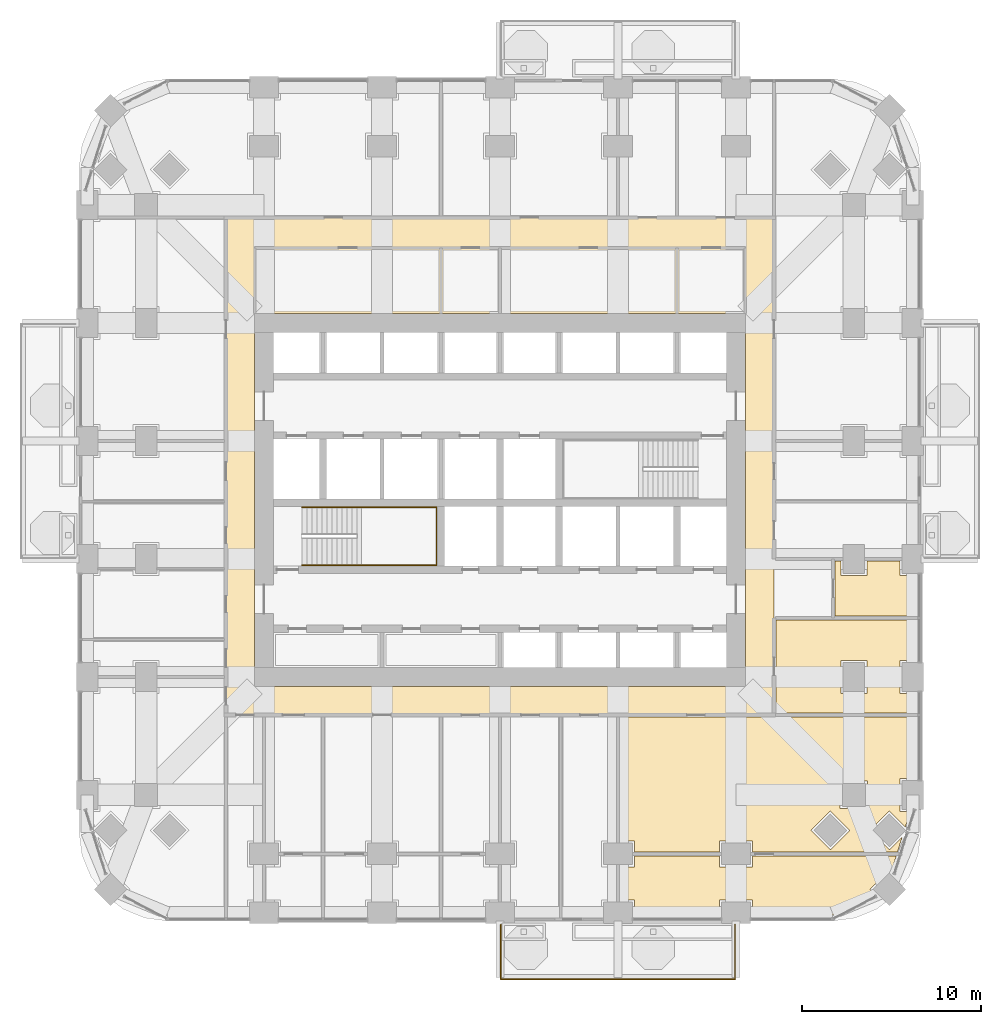
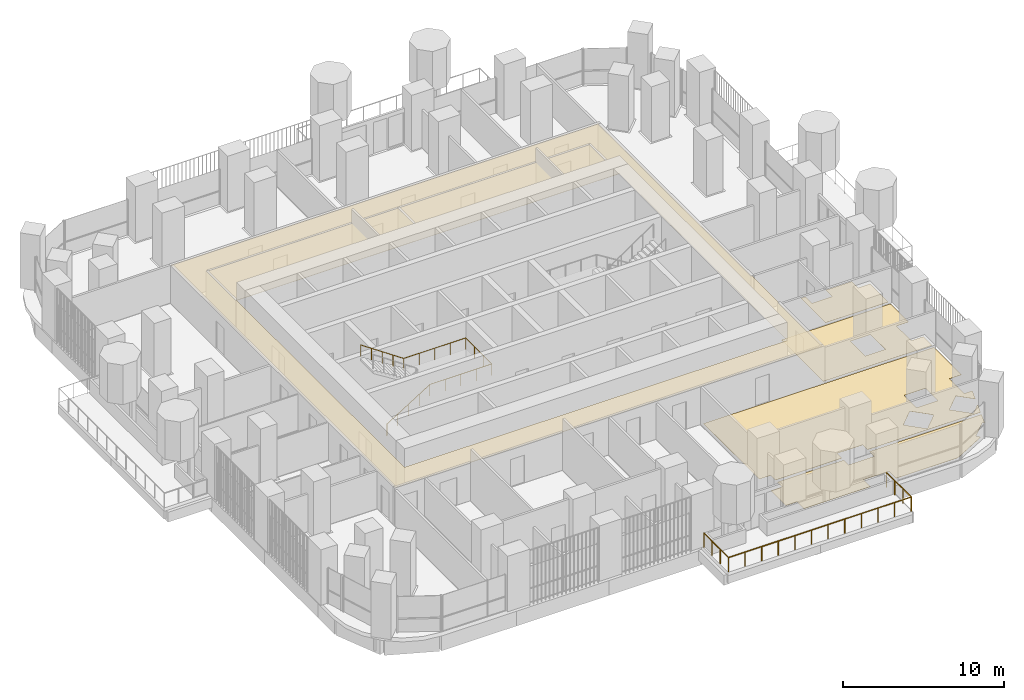
# One storey, part 19 of 22: 5 coverings, 2 railings.
"""IFC4 building model written with IfcOpenShell, lengths in metres."""

from ifc_helpers import new_model, si_unit, direction, frame, origin, place, context, subcontext, project, spatial, polyline, outline, extrude, material, layer, layer_set, type_object, element, save


model = new_model("IFC4")

# Units and contexts
model_context = context("Model", 3, precision=1e-05, world=origin(), true_north=direction((0.0, 1.0)))
body_context = subcontext(model_context, "Body", "Model", "MODEL_VIEW")
ifc_project = project(units=[si_unit("LENGTHUNIT", "METRE"), si_unit("AREAUNIT", "SQUARE_METRE"), si_unit("VOLUMEUNIT", "CUBIC_METRE"), si_unit("PLANEANGLEUNIT", "RADIAN"), si_unit("MASSUNIT", "GRAM", prefix="KILO")], contexts=[model_context])

# Site, building, storey
site_placement = place(None, origin())
site = spatial("IfcSite", under=ifc_project, at=site_placement, CompositionType="ELEMENT")
building_placement = place(site_placement, origin())
building = spatial("IfcBuilding", under=site, at=building_placement, Name="Cobogo Forest Laboratory Tower", CompositionType="ELEMENT")
storey_placement = place(building_placement, frame((0.0, 0.0, 94.800048828125)))
storey = spatial("IfcBuildingStorey", under=building, at=storey_placement, Name="L21", CompositionType="ELEMENT", Elevation=94.800048828125)

# Railing
ifc_material_1 = material(Name="Laminated glass balustrade", Category="glass")
railing_type_1 = type_object("IfcRailingType", Name="BG1 glass balustrade 1100", PredefinedType="GUARDRAIL", material=ifc_material_1)
railing_1_placement = place(storey_placement, frame((26.449951171875, -0.64990234375, 0.0)))
element("IfcRailing", 1, at=railing_1_placement, inside=storey, type_object=railing_type_1, Name="Balcony balustrade BAL-S1 L21", PredefinedType="GUARDRAIL", context=body_context, shape_type="SweptSolid", body=[
    extrude(outline(polyline([(0.022216796875, 0.00927734375), (0.00927734375, 0.022216796875), (-0.00927734375, 0.022216796875), (-0.022216796875, 0.00927734375), (-0.022216796875, -0.00927734375), (-0.00927734375, -0.022216796875), (0.00927734375, -0.022216796875), (0.022216796875, -0.00927734375), (0.022216796875, 0.00927734375)])), frame((0.0, 0.0, 1.077880859375), z_axis=(0.0, -1.0, 0.0), x_axis=(1.0, 0.0, 0.0)), (0.0, 0.0, 1.0), 3.050048828125),
    extrude(outline(polyline([(0.022216796875, 0.00927734375), (0.00927734375, 0.022216796875), (-0.00927734375, 0.022216796875), (-0.022216796875, 0.00927734375), (-0.022216796875, -0.00927734375), (-0.00927734375, -0.022216796875), (0.00927734375, -0.022216796875), (0.022216796875, -0.00927734375), (0.022216796875, 0.00927734375)])), frame((0.0, -3.050048828125, 1.077880859375), z_axis=(1.0, 0.0, 0.0), x_axis=(0.0, 1.0, 0.0)), (0.0, 0.0, 1.0), 13.10009765625),
    extrude(outline(polyline([(0.022216796875, 0.00927734375), (0.00927734375, 0.022216796875), (-0.00927734375, 0.022216796875), (-0.022216796875, 0.00927734375), (-0.022216796875, -0.00927734375), (-0.00927734375, -0.022216796875), (0.00927734375, -0.022216796875), (0.022216796875, -0.00927734375), (0.022216796875, 0.00927734375)])), frame((13.10009765625, -3.050048828125, 1.077880859375), z_axis=(0.0, 1.0, 0.0), x_axis=(-1.0, 0.0, 0.0)), (0.0, 0.0, 1.0), 3.050048828125),
    extrude(outline(polyline([(0.019287109375, 0.008056640625), (0.008056640625, 0.019287109375), (-0.008056640625, 0.019287109375), (-0.019287109375, 0.008056640625), (-0.019287109375, -0.008056640625), (-0.008056640625, -0.019287109375), (0.008056640625, -0.019287109375), (0.019287109375, -0.008056640625), (0.019287109375, 0.008056640625)])), origin(), (0.0, 0.0, 1.0), 1.077880859375),
    extrude(outline(polyline([(0.019287109375, 0.008056640625), (0.008056640625, 0.019287109375), (-0.008056640625, 0.019287109375), (-0.019287109375, 0.008056640625), (-0.019287109375, -0.008056640625), (-0.008056640625, -0.019287109375), (0.008056640625, -0.019287109375), (0.019287109375, -0.008056640625), (0.019287109375, 0.008056640625)])), frame((0.0, -1.0166015625, 0.0)), (0.0, 0.0, 1.0), 1.077880859375),
    extrude(outline(polyline([(0.019287109375, 0.008056640625), (0.008056640625, 0.019287109375), (-0.008056640625, 0.019287109375), (-0.019287109375, 0.008056640625), (-0.019287109375, -0.008056640625), (-0.008056640625, -0.019287109375), (0.008056640625, -0.019287109375), (0.019287109375, -0.008056640625), (0.019287109375, 0.008056640625)])), frame((0.0, -2.033447265625, 0.0)), (0.0, 0.0, 1.0), 1.077880859375),
    extrude(outline(polyline([(0.019287109375, 0.008056640625), (0.008056640625, 0.019287109375), (-0.008056640625, 0.019287109375), (-0.019287109375, 0.008056640625), (-0.019287109375, -0.008056640625), (-0.008056640625, -0.019287109375), (0.008056640625, -0.019287109375), (0.019287109375, -0.008056640625), (0.019287109375, 0.008056640625)])), frame((0.0, -3.050048828125, 0.0)), (0.0, 0.0, 1.0), 1.077880859375),
    extrude(outline(polyline([(0.019287109375, 0.008056640625), (0.008056640625, 0.019287109375), (-0.008056640625, 0.019287109375), (-0.019287109375, 0.008056640625), (-0.019287109375, -0.008056640625), (-0.008056640625, -0.019287109375), (0.008056640625, -0.019287109375), (0.019287109375, -0.008056640625), (0.019287109375, 0.008056640625)])), frame((1.19091796875, -3.050048828125, 0.0)), (0.0, 0.0, 1.0), 1.077880859375),
    extrude(outline(polyline([(0.019287109375, 0.008056640625), (0.008056640625, 0.019287109375), (-0.008056640625, 0.019287109375), (-0.019287109375, 0.008056640625), (-0.019287109375, -0.008056640625), (-0.008056640625, -0.019287109375), (0.008056640625, -0.019287109375), (0.019287109375, -0.008056640625), (0.019287109375, 0.008056640625)])), frame((2.3818359375, -3.050048828125, 0.0)), (0.0, 0.0, 1.0), 1.077880859375),
    extrude(outline(polyline([(0.019287109375, 0.008056640625), (0.008056640625, 0.019287109375), (-0.008056640625, 0.019287109375), (-0.019287109375, 0.008056640625), (-0.019287109375, -0.008056640625), (-0.008056640625, -0.019287109375), (0.008056640625, -0.019287109375), (0.019287109375, -0.008056640625), (0.019287109375, 0.008056640625)])), frame((3.57275390625, -3.050048828125, 0.0)), (0.0, 0.0, 1.0), 1.077880859375),
    extrude(outline(polyline([(0.019287109375, 0.008056640625), (0.008056640625, 0.019287109375), (-0.008056640625, 0.019287109375), (-0.019287109375, 0.008056640625), (-0.019287109375, -0.008056640625), (-0.008056640625, -0.019287109375), (0.008056640625, -0.019287109375), (0.019287109375, -0.008056640625), (0.019287109375, 0.008056640625)])), frame((4.763671875, -3.050048828125, 0.0)), (0.0, 0.0, 1.0), 1.077880859375),
    extrude(outline(polyline([(0.019287109375, 0.008056640625), (0.008056640625, 0.019287109375), (-0.008056640625, 0.019287109375), (-0.019287109375, 0.008056640625), (-0.019287109375, -0.008056640625), (-0.008056640625, -0.019287109375), (0.008056640625, -0.019287109375), (0.019287109375, -0.008056640625), (0.019287109375, 0.008056640625)])), frame((5.95458984375, -3.050048828125, 0.0)), (0.0, 0.0, 1.0), 1.077880859375),
    extrude(outline(polyline([(0.019287109375, 0.008056640625), (0.008056640625, 0.019287109375), (-0.008056640625, 0.019287109375), (-0.019287109375, 0.008056640625), (-0.019287109375, -0.008056640625), (-0.008056640625, -0.019287109375), (0.008056640625, -0.019287109375), (0.019287109375, -0.008056640625), (0.019287109375, 0.008056640625)])), frame((7.1455078125, -3.050048828125, 0.0)), (0.0, 0.0, 1.0), 1.077880859375),
    extrude(outline(polyline([(0.019287109375, 0.008056640625), (0.008056640625, 0.019287109375), (-0.008056640625, 0.019287109375), (-0.019287109375, 0.008056640625), (-0.019287109375, -0.008056640625), (-0.008056640625, -0.019287109375), (0.008056640625, -0.019287109375), (0.019287109375, -0.008056640625), (0.019287109375, 0.008056640625)])), frame((8.33642578125, -3.050048828125, 0.0)), (0.0, 0.0, 1.0), 1.077880859375),
    extrude(outline(polyline([(0.019287109375, 0.008056640625), (0.008056640625, 0.019287109375), (-0.008056640625, 0.019287109375), (-0.019287109375, 0.008056640625), (-0.019287109375, -0.008056640625), (-0.008056640625, -0.019287109375), (0.008056640625, -0.019287109375), (0.019287109375, -0.008056640625), (0.019287109375, 0.008056640625)])), frame((9.52734375, -3.050048828125, 0.0)), (0.0, 0.0, 1.0), 1.077880859375),
    extrude(outline(polyline([(0.019287109375, 0.008056640625), (0.008056640625, 0.019287109375), (-0.008056640625, 0.019287109375), (-0.019287109375, 0.008056640625), (-0.019287109375, -0.008056640625), (-0.008056640625, -0.019287109375), (0.008056640625, -0.019287109375), (0.019287109375, -0.008056640625), (0.019287109375, 0.008056640625)])), frame((10.71826171875, -3.050048828125, 0.0)), (0.0, 0.0, 1.0), 1.077880859375),
    extrude(outline(polyline([(0.019287109375, 0.008056640625), (0.008056640625, 0.019287109375), (-0.008056640625, 0.019287109375), (-0.019287109375, 0.008056640625), (-0.019287109375, -0.008056640625), (-0.008056640625, -0.019287109375), (0.008056640625, -0.019287109375), (0.019287109375, -0.008056640625), (0.019287109375, 0.008056640625)])), frame((11.9091796875, -3.050048828125, 0.0)), (0.0, 0.0, 1.0), 1.077880859375),
    extrude(outline(polyline([(0.019287109375, 0.008056640625), (0.008056640625, 0.019287109375), (-0.008056640625, 0.019287109375), (-0.019287109375, 0.008056640625), (-0.019287109375, -0.008056640625), (-0.008056640625, -0.019287109375), (0.008056640625, -0.019287109375), (0.019287109375, -0.008056640625), (0.019287109375, 0.008056640625)])), frame((13.10009765625, -3.050048828125, 0.0)), (0.0, 0.0, 1.0), 1.077880859375),
    extrude(outline(polyline([(0.019287109375, 0.008056640625), (0.008056640625, 0.019287109375), (-0.008056640625, 0.019287109375), (-0.019287109375, 0.008056640625), (-0.019287109375, -0.008056640625), (-0.008056640625, -0.019287109375), (0.008056640625, -0.019287109375), (0.019287109375, -0.008056640625), (0.019287109375, 0.008056640625)])), frame((13.10009765625, -2.033447265625, 0.0)), (0.0, 0.0, 1.0), 1.077880859375),
    extrude(outline(polyline([(0.019287109375, 0.008056640625), (0.008056640625, 0.019287109375), (-0.008056640625, 0.019287109375), (-0.019287109375, 0.008056640625), (-0.019287109375, -0.008056640625), (-0.008056640625, -0.019287109375), (0.008056640625, -0.019287109375), (0.019287109375, -0.008056640625), (0.019287109375, 0.008056640625)])), frame((13.10009765625, -1.0166015625, 0.0)), (0.0, 0.0, 1.0), 1.077880859375),
    extrude(outline(polyline([(0.019287109375, 0.008056640625), (0.008056640625, 0.019287109375), (-0.008056640625, 0.019287109375), (-0.019287109375, 0.008056640625), (-0.019287109375, -0.008056640625), (-0.008056640625, -0.019287109375), (0.008056640625, -0.019287109375), (0.019287109375, -0.008056640625), (0.019287109375, 0.008056640625)])), frame((13.10009765625, 0.0, 0.0)), (0.0, 0.0, 1.0), 1.077880859375),
])

# Coverings
ifc_material_2 = material(Name="Mineral fibre ceiling tile", Category="ceiling")
ifc_layer_1 = layer(ifc_material_2, 0.02001953125)
ifc_layer_set_1 = layer_set([ifc_layer_1], Name="CL1 suspended ceiling")
covering_type_1 = type_object("IfcCoveringType", Name="CL1 suspended ceiling", PredefinedType="CEILING", material=ifc_layer_set_1)
covering_1_placement = place(storey_placement, frame((0.0, 0.0, 2.800048828125)))
element("IfcCovering", 2, at=covering_1_placement, inside=storey, type_object=covering_type_1, Name="Corridor ceiling L21", PredefinedType="CEILING", context=body_context, shape_type="SweptSolid", body=[
    extrude(outline(polyline([(11.074951171875, 11.074951171875), (11.074951171875, 38.89990234375), (41.72509765625, 38.89990234375), (41.72509765625, 11.074951171875), (11.074951171875, 11.074951171875)]), holes=[polyline([(40.125, 33.52490234375), (12.675048828125, 33.52490234375), (12.675048828125, 12.675048828125), (40.125, 12.675048828125), (40.125, 33.52490234375)])]), origin(), (0.0, 0.0, 1.0), 0.02001953125),
])
ifc_material_3 = material(Name="Carpet tile on raised access floor", Category="flooring")
ifc_layer_2 = layer(ifc_material_3, 0.008056640625)
ifc_layer_set_2 = layer_set([ifc_layer_2], Name="CT1 carpet tile floor 8")
covering_type_2 = type_object("IfcCoveringType", Name="CT1 carpet tile floor 8", PredefinedType="FLOORING", material=ifc_layer_set_2)
covering_2_placement = place(storey_placement, origin())
element("IfcCovering", 3, at=covering_2_placement, inside=storey, type_object=covering_type_2, Name="Carpet floor L21-15", PredefinedType="FLOORING", context=body_context, shape_type="SweptSolid", body=[
    extrude(outline(polyline([(38.679931640625, 3.179931640625), (38.679931640625, 2.580078125), (40.52001953125, 2.580078125), (40.52001953125, 3.179931640625), (48.560302734375, 3.179931640625), (48.283935546875, 2.304931640625), (48.181884765625, 2.406982421875), (47.093017578125, 1.318115234375), (47.3193359375, 1.091552734375), (44.95068359375, -0.14990234375), (40.52001953125, -0.14990234375), (40.52001953125, 0.719970703125), (38.679931640625, 0.719970703125), (38.679931640625, -0.14990234375), (33.919921875, -0.14990234375), (33.919921875, 0.719970703125), (33.1201171875, 0.719970703125), (33.1201171875, 2.580078125), (33.919921875, 2.580078125), (33.919921875, 3.179931640625), (38.679931640625, 3.179931640625)])), origin(), (0.0, 0.0, 1.0), 0.008056640625),
])
covering_3_placement = place(storey_placement, origin())
element("IfcCovering", 4, at=covering_3_placement, inside=storey, type_object=covering_type_2, Name="Carpet floor L21-16", PredefinedType="FLOORING", context=body_context, shape_type="SweptSolid", body=[
    extrude(outline(polyline([(41.844970703125, 16.3798828125), (49.64990234375, 16.3798828125), (49.64990234375, 14.1201171875), (48.780029296875, 14.1201171875), (48.780029296875, 12.280029296875), (49.64990234375, 12.280029296875), (49.64990234375, 11.195068359375), (41.844970703125, 11.195068359375), (41.844970703125, 16.3798828125)]), holes=[polyline([(45.47998046875, 12.280029296875), (46.919921875, 12.280029296875), (46.919921875, 14.1201171875), (45.47998046875, 14.1201171875), (45.47998046875, 12.280029296875)])]), origin(), (0.0, 0.0, 1.0), 0.008056640625),
])
covering_4_placement = place(storey_placement, origin())
element("IfcCovering", 5, at=covering_4_placement, inside=storey, type_object=covering_type_2, Name="Carpet floor L21-17", PredefinedType="FLOORING", context=body_context, shape_type="SweptSolid", body=[
    extrude(outline(polyline([(45.14501953125, 19.679931640625), (45.47998046875, 19.679931640625), (45.47998046875, 18.8798828125), (46.919921875, 18.8798828125), (46.919921875, 19.679931640625), (48.780029296875, 19.679931640625), (48.780029296875, 18.8798828125), (49.64990234375, 18.8798828125), (49.64990234375, 16.6201171875), (45.14501953125, 16.6201171875), (45.14501953125, 19.679931640625)])), origin(), (0.0, 0.0, 1.0), 0.008056640625),
])

# Railing
ifc_material_4 = material(Name="Stainless steel handrail", Category="steel")
railing_type_2 = type_object("IfcRailingType", Name="HR handrail 900", PredefinedType="HANDRAIL", material=ifc_material_4)
railing_2_placement = place(storey_placement, frame((15.324951171875, 19.449951171875, 0.175048828125)))
element("IfcRailing", 6, at=railing_2_placement, inside=storey, type_object=railing_type_2, Name="Stair handrail ST1 L21", PredefinedType="HANDRAIL", context=body_context, shape_type="SweptSolid", body=[
    extrude(outline(polyline([(0.022216796875, 0.00927734375), (0.00927734375, 0.022216796875), (-0.00927734375, 0.022216796875), (-0.022216796875, 0.00927734375), (-0.022216796875, -0.00927734375), (-0.00927734375, -0.022216796875), (0.00927734375, -0.022216796875), (0.022216796875, -0.00927734375), (0.022216796875, 0.00927734375)])), frame((0.0, 0.0, 0.877685546875), z_axis=(0.848028513186, 0.0, 0.529950602248), x_axis=(0.0, 1.0, 0.0)), (0.0, 0.0, 1.0), 3.632080078125),
    extrude(outline(polyline([(0.022216796875, 0.00927734375), (0.00927734375, 0.022216796875), (-0.00927734375, 0.022216796875), (-0.022216796875, 0.00927734375), (-0.022216796875, -0.00927734375), (-0.00927734375, -0.022216796875), (0.00927734375, -0.022216796875), (0.022216796875, -0.00927734375), (0.022216796875, 0.00927734375)])), frame((3.080078125, 0.0, 2.802490234375), z_axis=(1.0, 0.0, 0.0), x_axis=(0.0, 1.0, 0.0)), (0.0, 0.0, 1.0), 4.445068359375),
    extrude(outline(polyline([(0.022216796875, 0.00927734375), (0.00927734375, 0.022216796875), (-0.00927734375, 0.022216796875), (-0.022216796875, 0.00927734375), (-0.022216796875, -0.00927734375), (-0.00927734375, -0.022216796875), (0.00927734375, -0.022216796875), (0.022216796875, -0.00927734375), (0.022216796875, 0.00927734375)])), frame((7.525146484375, 0.0, 2.802490234375), z_axis=(0.0, 1.0, 0.0), x_axis=(-1.0, 0.0, 0.0)), (0.0, 0.0, 1.0), 3.25),
    extrude(outline(polyline([(0.022216796875, 0.00927734375), (0.00927734375, 0.022216796875), (-0.00927734375, 0.022216796875), (-0.022216796875, 0.00927734375), (-0.022216796875, -0.00927734375), (-0.00927734375, -0.022216796875), (0.00927734375, -0.022216796875), (0.022216796875, -0.00927734375), (0.022216796875, 0.00927734375)])), frame((7.525146484375, 3.25, 2.802490234375), z_axis=(-1.0, 0.0, 0.0), x_axis=(0.0, -1.0, 0.0)), (0.0, 0.0, 1.0), 4.445068359375),
    extrude(outline(polyline([(0.022216796875, 0.00927734375), (0.00927734375, 0.022216796875), (-0.00927734375, 0.022216796875), (-0.022216796875, 0.00927734375), (-0.022216796875, -0.00927734375), (-0.00927734375, -0.022216796875), (0.00927734375, -0.022216796875), (0.022216796875, -0.00927734375), (0.022216796875, 0.00927734375)])), frame((3.080078125, 3.25, 2.802490234375), z_axis=(-0.826221800596, 0.0, 0.563344953133), x_axis=(0.0, -1.0, 0.0)), (0.0, 0.0, 1.0), 3.72802734375),
    extrude(outline(polyline([(0.019287109375, 0.008056640625), (0.008056640625, 0.019287109375), (-0.008056640625, 0.019287109375), (-0.019287109375, 0.008056640625), (-0.019287109375, -0.008056640625), (-0.008056640625, -0.019287109375), (0.008056640625, -0.019287109375), (0.019287109375, -0.008056640625), (0.019287109375, 0.008056640625)])), origin(), (0.0, 0.0, 1.0), 0.877685546875),
    extrude(outline(polyline([(0.019287109375, 0.008056640625), (0.008056640625, 0.019287109375), (-0.008056640625, 0.019287109375), (-0.019287109375, 0.008056640625), (-0.019287109375, -0.008056640625), (-0.008056640625, -0.019287109375), (0.008056640625, -0.019287109375), (0.019287109375, -0.008056640625), (0.019287109375, 0.008056640625)])), frame((0.77001953125, 0.0, 0.481201171875)), (0.0, 0.0, 1.0), 0.877685546875),
    extrude(outline(polyline([(0.019287109375, 0.008056640625), (0.008056640625, 0.019287109375), (-0.008056640625, 0.019287109375), (-0.019287109375, 0.008056640625), (-0.019287109375, -0.008056640625), (-0.008056640625, -0.019287109375), (0.008056640625, -0.019287109375), (0.019287109375, -0.008056640625), (0.019287109375, 0.008056640625)])), frame((1.5400390625, 0.0, 0.96240234375)), (0.0, 0.0, 1.0), 0.877685546875),
    extrude(outline(polyline([(0.019287109375, 0.008056640625), (0.008056640625, 0.019287109375), (-0.008056640625, 0.019287109375), (-0.019287109375, 0.008056640625), (-0.019287109375, -0.008056640625), (-0.008056640625, -0.019287109375), (0.008056640625, -0.019287109375), (0.019287109375, -0.008056640625), (0.019287109375, 0.008056640625)])), frame((2.31005859375, 0.0, 1.443603515625)), (0.0, 0.0, 1.0), 0.877685546875),
    extrude(outline(polyline([(0.019287109375, 0.008056640625), (0.008056640625, 0.019287109375), (-0.008056640625, 0.019287109375), (-0.019287109375, 0.008056640625), (-0.019287109375, -0.008056640625), (-0.008056640625, -0.019287109375), (0.008056640625, -0.019287109375), (0.019287109375, -0.008056640625), (0.019287109375, 0.008056640625)])), frame((3.080078125, 0.0, 1.9248046875)), (0.0, 0.0, 1.0), 0.877685546875),
    extrude(outline(polyline([(0.019287109375, 0.008056640625), (0.008056640625, 0.019287109375), (-0.008056640625, 0.019287109375), (-0.019287109375, 0.008056640625), (-0.019287109375, -0.008056640625), (-0.008056640625, -0.019287109375), (0.008056640625, -0.019287109375), (0.019287109375, -0.008056640625), (0.019287109375, 0.008056640625)])), frame((4.19140625, 0.0, 1.9248046875)), (0.0, 0.0, 1.0), 0.877685546875),
    extrude(outline(polyline([(0.019287109375, 0.008056640625), (0.008056640625, 0.019287109375), (-0.008056640625, 0.019287109375), (-0.019287109375, 0.008056640625), (-0.019287109375, -0.008056640625), (-0.008056640625, -0.019287109375), (0.008056640625, -0.019287109375), (0.019287109375, -0.008056640625), (0.019287109375, 0.008056640625)])), frame((5.302734375, 0.0, 1.9248046875)), (0.0, 0.0, 1.0), 0.877685546875),
    extrude(outline(polyline([(0.019287109375, 0.008056640625), (0.008056640625, 0.019287109375), (-0.008056640625, 0.019287109375), (-0.019287109375, 0.008056640625), (-0.019287109375, -0.008056640625), (-0.008056640625, -0.019287109375), (0.008056640625, -0.019287109375), (0.019287109375, -0.008056640625), (0.019287109375, 0.008056640625)])), frame((6.413818359375, 0.0, 1.9248046875)), (0.0, 0.0, 1.0), 0.877685546875),
    extrude(outline(polyline([(0.019287109375, 0.008056640625), (0.008056640625, 0.019287109375), (-0.008056640625, 0.019287109375), (-0.019287109375, 0.008056640625), (-0.019287109375, -0.008056640625), (-0.008056640625, -0.019287109375), (0.008056640625, -0.019287109375), (0.019287109375, -0.008056640625), (0.019287109375, 0.008056640625)])), frame((7.525146484375, 0.0, 1.9248046875)), (0.0, 0.0, 1.0), 0.877685546875),
    extrude(outline(polyline([(0.019287109375, 0.008056640625), (0.008056640625, 0.019287109375), (-0.008056640625, 0.019287109375), (-0.019287109375, 0.008056640625), (-0.019287109375, -0.008056640625), (-0.008056640625, -0.019287109375), (0.008056640625, -0.019287109375), (0.019287109375, -0.008056640625), (0.019287109375, 0.008056640625)])), frame((7.525146484375, 1.083251953125, 1.9248046875)), (0.0, 0.0, 1.0), 0.877685546875),
    extrude(outline(polyline([(0.019287109375, 0.008056640625), (0.008056640625, 0.019287109375), (-0.008056640625, 0.019287109375), (-0.019287109375, 0.008056640625), (-0.019287109375, -0.008056640625), (-0.008056640625, -0.019287109375), (0.008056640625, -0.019287109375), (0.019287109375, -0.008056640625), (0.019287109375, 0.008056640625)])), frame((7.525146484375, 2.166748046875, 1.9248046875)), (0.0, 0.0, 1.0), 0.877685546875),
    extrude(outline(polyline([(0.019287109375, 0.008056640625), (0.008056640625, 0.019287109375), (-0.008056640625, 0.019287109375), (-0.019287109375, 0.008056640625), (-0.019287109375, -0.008056640625), (-0.008056640625, -0.019287109375), (0.008056640625, -0.019287109375), (0.019287109375, -0.008056640625), (0.019287109375, 0.008056640625)])), frame((7.525146484375, 3.25, 1.9248046875)), (0.0, 0.0, 1.0), 0.877685546875),
    extrude(outline(polyline([(0.019287109375, 0.008056640625), (0.008056640625, 0.019287109375), (-0.008056640625, 0.019287109375), (-0.019287109375, 0.008056640625), (-0.019287109375, -0.008056640625), (-0.008056640625, -0.019287109375), (0.008056640625, -0.019287109375), (0.019287109375, -0.008056640625), (0.019287109375, 0.008056640625)])), frame((6.413818359375, 3.25, 1.9248046875)), (0.0, 0.0, 1.0), 0.877685546875),
    extrude(outline(polyline([(0.019287109375, 0.008056640625), (0.008056640625, 0.019287109375), (-0.008056640625, 0.019287109375), (-0.019287109375, 0.008056640625), (-0.019287109375, -0.008056640625), (-0.008056640625, -0.019287109375), (0.008056640625, -0.019287109375), (0.019287109375, -0.008056640625), (0.019287109375, 0.008056640625)])), frame((5.302734375, 3.25, 1.9248046875)), (0.0, 0.0, 1.0), 0.877685546875),
    extrude(outline(polyline([(0.019287109375, 0.008056640625), (0.008056640625, 0.019287109375), (-0.008056640625, 0.019287109375), (-0.019287109375, 0.008056640625), (-0.019287109375, -0.008056640625), (-0.008056640625, -0.019287109375), (0.008056640625, -0.019287109375), (0.019287109375, -0.008056640625), (0.019287109375, 0.008056640625)])), frame((4.19140625, 3.25, 1.9248046875)), (0.0, 0.0, 1.0), 0.877685546875),
    extrude(outline(polyline([(0.019287109375, 0.008056640625), (0.008056640625, 0.019287109375), (-0.008056640625, 0.019287109375), (-0.019287109375, 0.008056640625), (-0.019287109375, -0.008056640625), (-0.008056640625, -0.019287109375), (0.008056640625, -0.019287109375), (0.019287109375, -0.008056640625), (0.019287109375, 0.008056640625)])), frame((3.080078125, 3.25, 1.9248046875)), (0.0, 0.0, 1.0), 0.877685546875),
    extrude(outline(polyline([(0.019287109375, 0.008056640625), (0.008056640625, 0.019287109375), (-0.008056640625, 0.019287109375), (-0.019287109375, 0.008056640625), (-0.019287109375, -0.008056640625), (-0.008056640625, -0.019287109375), (0.008056640625, -0.019287109375), (0.019287109375, -0.008056640625), (0.019287109375, 0.008056640625)])), frame((2.31005859375, 3.25, 2.44970703125)), (0.0, 0.0, 1.0), 0.877685546875),
    extrude(outline(polyline([(0.019287109375, 0.008056640625), (0.008056640625, 0.019287109375), (-0.008056640625, 0.019287109375), (-0.019287109375, 0.008056640625), (-0.019287109375, -0.008056640625), (-0.008056640625, -0.019287109375), (0.008056640625, -0.019287109375), (0.019287109375, -0.008056640625), (0.019287109375, 0.008056640625)])), frame((1.5400390625, 3.25, 2.974853515625)), (0.0, 0.0, 1.0), 0.877685546875),
    extrude(outline(polyline([(0.019287109375, 0.008056640625), (0.008056640625, 0.019287109375), (-0.008056640625, 0.019287109375), (-0.019287109375, 0.008056640625), (-0.019287109375, -0.008056640625), (-0.008056640625, -0.019287109375), (0.008056640625, -0.019287109375), (0.019287109375, -0.008056640625), (0.019287109375, 0.008056640625)])), frame((0.77001953125, 3.25, 3.5)), (0.0, 0.0, 1.0), 0.877685546875),
    extrude(outline(polyline([(0.019287109375, 0.008056640625), (0.008056640625, 0.019287109375), (-0.008056640625, 0.019287109375), (-0.019287109375, 0.008056640625), (-0.019287109375, -0.008056640625), (-0.008056640625, -0.019287109375), (0.008056640625, -0.019287109375), (0.019287109375, -0.008056640625), (0.019287109375, 0.008056640625)])), frame((0.0, 3.25, 4.02490234375)), (0.0, 0.0, 1.0), 0.877685546875),
])

# Covering
ifc_material_5 = material(Name="Ceramic floor tile", Category="flooring")
ifc_layer_3 = layer(ifc_material_5, 0.010009765625)
ifc_layer_set_3 = layer_set([ifc_layer_3], Name="TF1 ceramic tile floor 10")
covering_type_3 = type_object("IfcCoveringType", Name="TF1 ceramic tile floor 10", PredefinedType="FLOORING", material=ifc_layer_set_3)
covering_5_placement = place(storey_placement, origin())
element("IfcCovering", 7, at=covering_5_placement, inside=storey, type_object=covering_type_3, Name="Tile floor L21-14", PredefinedType="FLOORING", context=body_context, shape_type="SweptSolid", body=[
    extrude(outline(polyline([(33.1201171875, 10.955078125), (49.64990234375, 10.955078125), (49.64990234375, 7.52001953125), (48.780029296875, 7.52001953125), (48.780029296875, 5.679931640625), (49.349853515625, 5.679931640625), (49.075927734375, 4.81298828125), (48.181884765625, 5.70703125), (47.093017578125, 4.617919921875), (48.181884765625, 3.529052734375), (48.89599609375, 4.2431640625), (48.635986328125, 3.419921875), (40.52001953125, 3.419921875), (40.52001953125, 4.02001953125), (38.679931640625, 4.02001953125), (38.679931640625, 3.419921875), (33.919921875, 3.419921875), (33.919921875, 4.02001953125), (33.1201171875, 4.02001953125), (33.1201171875, 10.955078125)]), holes=[polyline([(45.429931640625, 5.830078125), (46.969970703125, 5.830078125), (46.969970703125, 7.3701171875), (45.429931640625, 7.3701171875), (45.429931640625, 5.830078125)]), polyline([(43.79296875, 4.617919921875), (44.882080078125, 3.529052734375), (45.970947265625, 4.617919921875), (44.882080078125, 5.70703125), (43.79296875, 4.617919921875)])]), origin(), (0.0, 0.0, 1.0), 0.010009765625),
])

save(model, "model.ifc")
